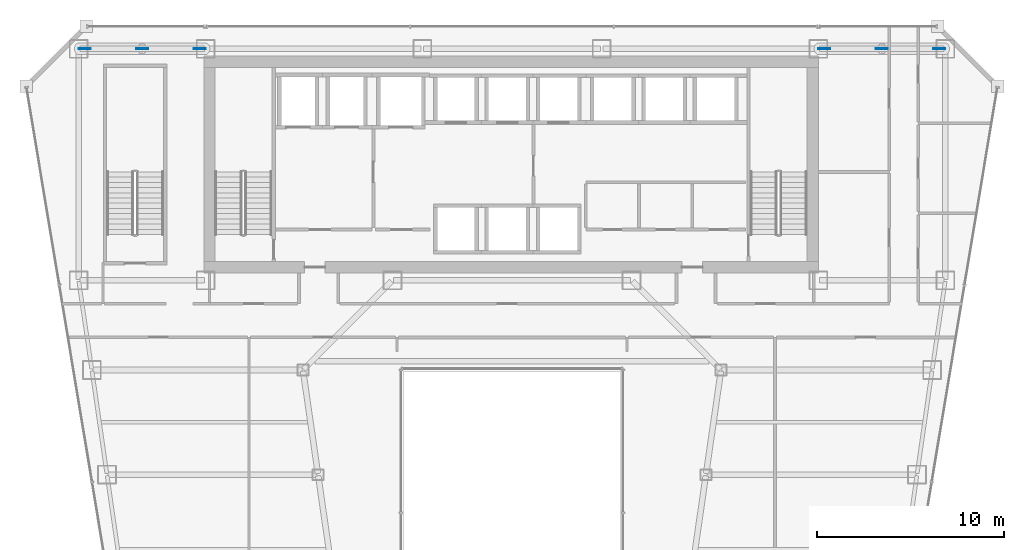
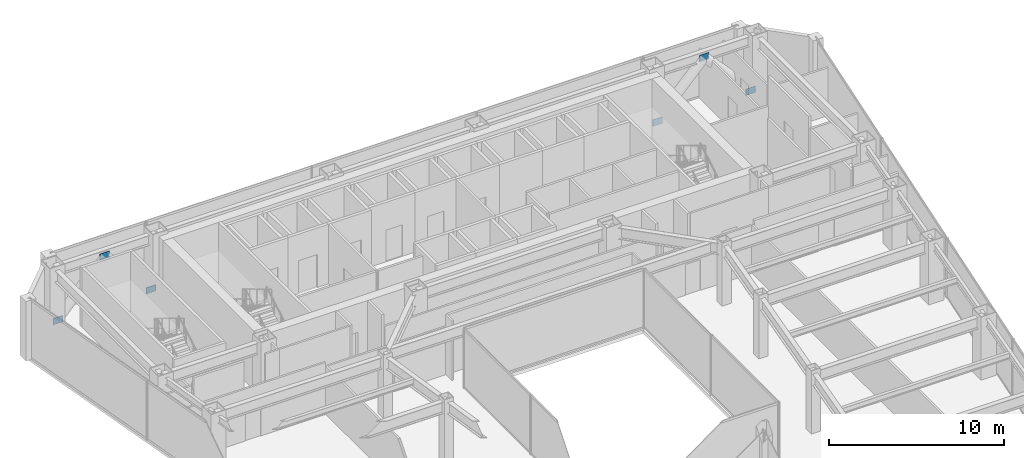
# One storey, part 31 of 37: 6 plates.
"""IFC4 building model written with IfcOpenShell, lengths in metres."""

from ifc_helpers import new_model, si_unit, direction, frame, origin, origin_2d, place, context, subcontext, project, spatial, rectangle, extrude, material, layer, layer_set, type_object, element, save


model = new_model("IFC4")

# Units and contexts
model_context = context("Model", 3, precision=1e-05, world=origin(), true_north=direction((0.0, 1.0)))
body_context = subcontext(model_context, "Body", "Model", "MODEL_VIEW")
ifc_project = project(units=[si_unit("LENGTHUNIT", "METRE"), si_unit("AREAUNIT", "SQUARE_METRE"), si_unit("VOLUMEUNIT", "CUBIC_METRE"), si_unit("PLANEANGLEUNIT", "RADIAN"), si_unit("MASSUNIT", "GRAM", prefix="KILO")], contexts=[model_context])

# Site, building, storey
site_placement = place(None, origin())
site = spatial("IfcSite", under=ifc_project, at=site_placement, CompositionType="ELEMENT")
building_placement = place(site_placement, origin())
building = spatial("IfcBuilding", under=site, at=building_placement, Name="Saevonmaru Cultural Tower", CompositionType="ELEMENT")
storey_placement = place(building_placement, frame((0.0, 0.0, 106.0)))
storey = spatial("IfcBuildingStorey", under=building, at=storey_placement, Name="L22", CompositionType="ELEMENT", Elevation=106.0)

# Plates
ifc_material = material(Name="Steel HSA600 (600 MPa)", Category="steel")
ifc_layer = layer(ifc_material, 0.0400390625, Name="Steel HSA600 (600 MPa)")
ifc_layer_set = layer_set([ifc_layer], Name="Steel HSA600 (600 MPa)")
plate_type = type_object("IfcPlateType", Name="PL-GUSSET-EXT", PredefinedType="USERDEFINED", material=ifc_layer_set)
for number, where, z_axis, x_axis, name in (
    (1, (10.199951171875, 54.800048828125, 3.449951171875), (0.0, 0.0, 1.0), (1.0, 0.0, 0.0), "L22 Perimeter Tube Gusset Plate"),
    (2, (7.1201171875, 54.800048828125, 0.02001953125), (0.0, 0.0, 1.0), (1.0, 0.0, 0.0), "L22 Perimeter Tube Gusset Plate"),
    (3, (13.280029296875, 54.800048828125, 0.02001953125), (0.0, 0.0, 1.0), (1.0, 0.0, 0.0), "L22 Perimeter Tube Gusset Plate"),
    (4, (49.800048828125, 54.800048828125, 3.449951171875), (0.0, 0.0, 1.0), (1.0, 0.0, 0.0), "L22 Perimeter Tube Gusset Plate"),
    (5, (46.719970703125, 54.800048828125, 0.02001953125), (0.0, 0.0, 1.0), (1.0, 0.0, 0.0), "L22 Perimeter Tube Gusset Plate"),
    (6, (52.8798828125, 54.800048828125, 0.02001953125), (0.0, 0.0, 1.0), (1.0, 0.0, 0.0), "L22 Perimeter Tube Gusset Plate"),
):
    element("IfcPlate", number, at=place(storey_placement, frame(where, z_axis=z_axis, x_axis=x_axis)), inside=storey, type_object=plate_type, Name=name, ObjectType="GUSSET_PLATE", PredefinedType="USERDEFINED", context=body_context, shape_type="SweptSolid", body=[
        extrude(rectangle(XDim=0.639892578125, YDim=0.0400390625, at=origin_2d()), origin(), (0.0, 0.0, 1.0), 0.43994140625),
    ])

save(model, "model.ifc")
